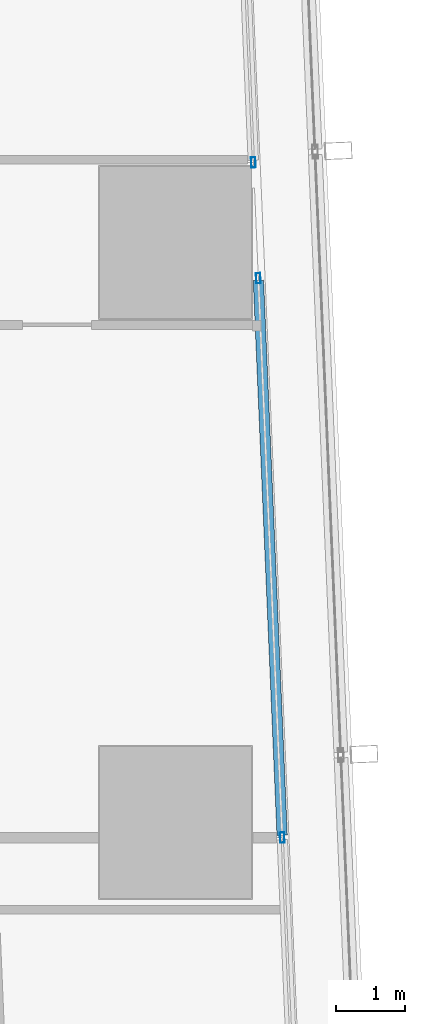
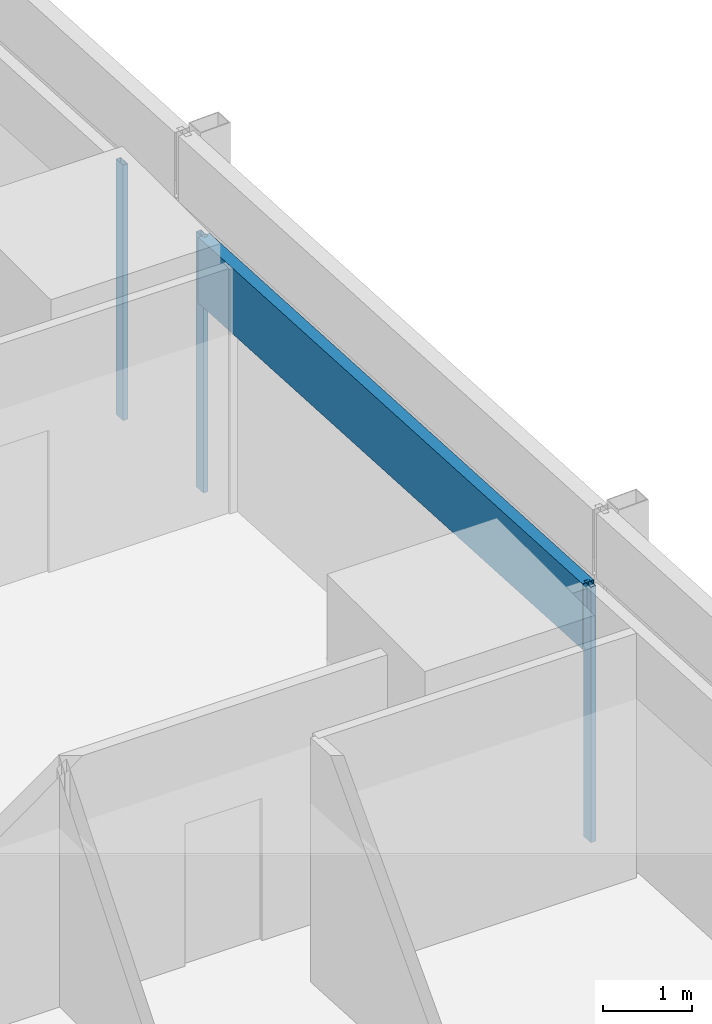
# One storey, part 20 of 45: 4 members, 2 elements without a shape of their own.
"""IFC4 building model written with IfcOpenShell, lengths in metres."""

from ifc_helpers import new_model, si_unit, direction, frame, origin, origin_2d, place, context, subcontext, project, spatial, hollow_rectangle, extrude, material, material_profile, profile_set, type_object, element, aggregate, save


model = new_model("IFC4")

# Units and contexts
model_context = context("Model", 3, precision=1e-05, world=origin(), true_north=direction((0.0, 1.0)))
body_context = subcontext(model_context, "Body", "Model", "MODEL_VIEW")
ifc_project = project(units=[si_unit("LENGTHUNIT", "METRE"), si_unit("AREAUNIT", "SQUARE_METRE"), si_unit("VOLUMEUNIT", "CUBIC_METRE"), si_unit("PLANEANGLEUNIT", "RADIAN"), si_unit("MASSUNIT", "GRAM", prefix="KILO")], contexts=[model_context])

# Site, building, storey
site_placement = place(None, origin())
site = spatial("IfcSite", under=ifc_project, at=site_placement, CompositionType="ELEMENT")
building_placement = place(site_placement, origin())
building = spatial("IfcBuilding", under=site, at=building_placement, Name="Rekha Terrace Tower", CompositionType="ELEMENT")
storey_placement = place(building_placement, frame((0.0, 0.0, 44.14990234375)))
storey = spatial("IfcBuildingStorey", under=building, at=storey_placement, Name="L10", CompositionType="ELEMENT", Elevation=44.14990234375)

# Curtain wall, members
ifc_material_1 = material(Name="Aluminium framing", Category="aluminium")
curtain_wall_type = type_object("IfcCurtainWallType", Name="CW1 double skin inner glazing", PredefinedType="USERDEFINED", material=ifc_material_1)
curtain_wall_1_placement = place(storey_placement, origin())
curtain_wall_1 = element("IfcCurtainWall", 1, at=curtain_wall_1_placement, inside=storey, type_object=curtain_wall_type, Name="CW1 double skin inner glazing", ObjectType="DOUBLE SKIN INNER GLAZING", PredefinedType="USERDEFINED")
ifc_material_2 = material(Name="Aluminium mullion section", Category="aluminium")
ifc_material_profile_1 = material_profile(ifc_material_2, hollow_rectangle(XDim=0.06494140625, YDim=0.14990234375, WallThickness=0.00390625, at=origin_2d()), Name="AL RHS 65x150")
ifc_profile_set_1 = profile_set([ifc_material_profile_1], Name="Aluminium mullion section")
member_type_1 = type_object("IfcMemberType", Name="CW1 mullion RHS 65 x 150", PredefinedType="MULLION", material=ifc_profile_set_1)
member_1_placement = place(storey_placement, frame((68.7431640625, 41.781494140625, 0.0), z_axis=(0.0, 0.0, 1.0), x_axis=(-0.999088106904, -0.042696072921, 0.0)))
member_1 = element("IfcMember", 2, at=member_1_placement, type_object=member_type_1, Name="CW1 mullion 3", PredefinedType="MULLION", context=body_context, shape_type="SweptSolid", body=[
    extrude(hollow_rectangle(XDim=0.06494140625, YDim=0.14990234375, WallThickness=0.00390625, at=origin_2d()), origin(), (0.0, 0.0, 1.0), 3.5),
])
member_2_placement = place(storey_placement, frame((68.397216796875, 49.8798828125, 0.0), z_axis=(0.0, 0.0, 1.0), x_axis=(-0.999088106904, -0.042696072921, 0.0)))
member_2 = element("IfcMember", 3, at=member_2_placement, type_object=member_type_1, Name="CW1 mullion 4", PredefinedType="MULLION", context=body_context, shape_type="SweptSolid", body=[
    extrude(hollow_rectangle(XDim=0.06494140625, YDim=0.14990234375, WallThickness=0.00390625, at=origin_2d()), origin(), (0.0, 0.0, 1.0), 3.5),
])

# Curtain wall, member
curtain_wall_2_placement = place(storey_placement, origin())
curtain_wall_2 = element("IfcCurtainWall", 4, at=curtain_wall_2_placement, inside=storey, type_object=curtain_wall_type, Name="CW1 double skin inner glazing", ObjectType="DOUBLE SKIN INNER GLAZING", PredefinedType="USERDEFINED")
member_3_placement = place(storey_placement, frame((68.325439453125, 51.556396484375, 0.0), z_axis=(0.0, 0.0, 1.0), x_axis=(-0.9990881069, -0.042696073026, 0.0)))
member_3 = element("IfcMember", 5, at=member_3_placement, type_object=member_type_1, Name="CW1 mullion 1", PredefinedType="MULLION", context=body_context, shape_type="SweptSolid", body=[
    extrude(hollow_rectangle(XDim=0.06494140625, YDim=0.14990234375, WallThickness=0.00390625, at=origin_2d()), origin(), (0.0, 0.0, 1.0), 3.5),
])
aggregate(curtain_wall_2, [member_3])

# Member
ifc_material_3 = material(Name="Insulated aluminium spandrel box", Category="aluminium")
ifc_material_profile_2 = material_profile(ifc_material_3, hollow_rectangle(XDim=0.14990234375, YDim=0.89990234375, WallThickness=0.0029296875, at=origin_2d()), Name="AL SPANDREL BOX 150x900")
ifc_profile_set_2 = profile_set([ifc_material_profile_2], Name="Insulated aluminium spandrel box")
member_type_2 = type_object("IfcMemberType", Name="CW1 spandrel transom 150 x 900", PredefinedType="USERDEFINED", material=ifc_profile_set_2)
member_4_placement = place(storey_placement, frame((68.741943359375, 41.81396484375, 3.050048828125), z_axis=(-0.042720422486, 0.999087066027, 0.0), x_axis=(-0.999087066027, -0.042720422486, 0.0)))
member_4 = element("IfcMember", 6, at=member_4_placement, type_object=member_type_2, Name="CW1 spandrel transom 3", ObjectType="TRANSOM", PredefinedType="USERDEFINED", context=body_context, shape_type="SweptSolid", body=[
    extrude(hollow_rectangle(XDim=0.14990234375, YDim=0.89990234375, WallThickness=0.0029296875, at=origin_2d()), origin(), (0.0, 0.0, 1.0), 8.040771484375),
])

aggregate(curtain_wall_1, [member_1, member_2, member_4])

save(model, "model.ifc")
